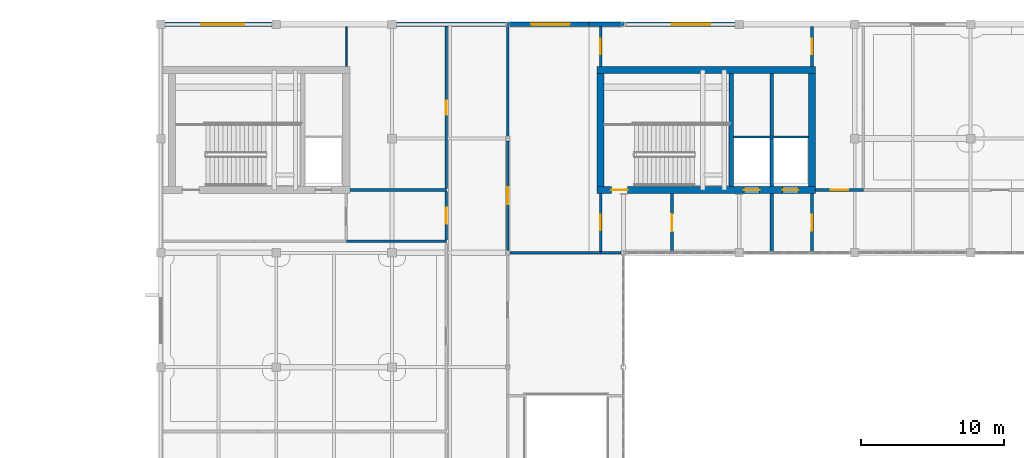
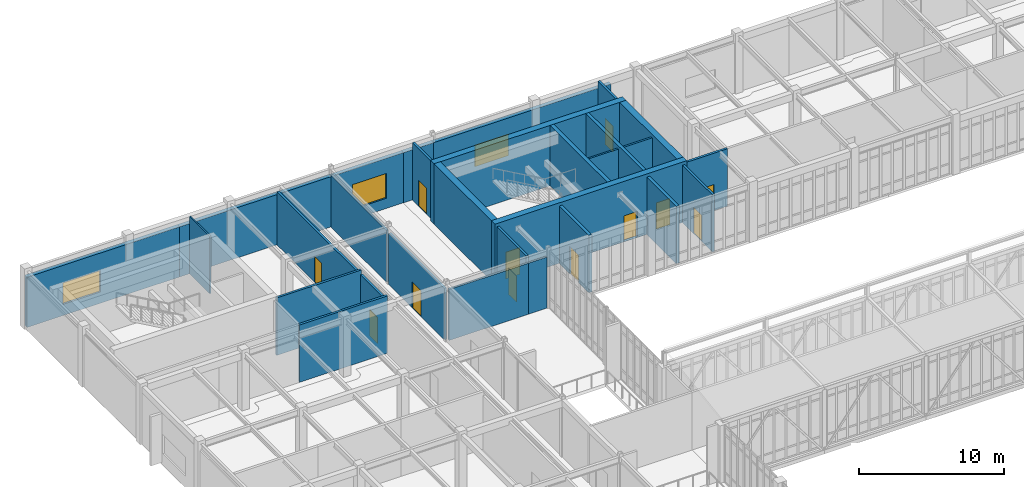
# One storey, part 96 of 107: 28 walls, 12 doors, 3 windows, 15 openings.
"""IFC4 building model written with IfcOpenShell, lengths in metres."""

from ifc_helpers import new_model, si_unit, direction, frame, frame_2d, origin, place, context, subcontext, project, spatial, rectangle, extrude, material, layer, layer_set, type_object, element, fill, save


model = new_model("IFC4")

# Units and contexts
model_context = context("Model", 3, precision=1e-05, world=origin(), true_north=direction((0.0, 1.0)))
body_context = subcontext(model_context, "Body", "Model", "MODEL_VIEW")
ifc_project = project(units=[si_unit("LENGTHUNIT", "METRE"), si_unit("AREAUNIT", "SQUARE_METRE"), si_unit("VOLUMEUNIT", "CUBIC_METRE"), si_unit("PLANEANGLEUNIT", "RADIAN"), si_unit("MASSUNIT", "GRAM", prefix="KILO")], contexts=[model_context])

# Site, building, storey
site_placement = place(None, origin())
site = spatial("IfcSite", under=ifc_project, at=site_placement, CompositionType="ELEMENT")
building_placement = place(site_placement, origin())
building = spatial("IfcBuilding", under=site, at=building_placement, Name="Tarnveldt Square Police Headquarters", CompositionType="ELEMENT")
storey_placement = place(building_placement, frame((0.0, 0.0, 14.699951171875)))
storey = spatial("IfcBuildingStorey", under=building, at=storey_placement, Name="L03", CompositionType="ELEMENT", Elevation=14.699951171875)

# Walls
ifc_material_1 = material(Name="Concrete 50 MPa", Category="concrete")
ifc_layer_1 = layer(ifc_material_1, 0.449951171875)
ifc_layer_set_1 = layer_set([ifc_layer_1], Name="Concrete 50 MPa")
wall_type_1 = type_object("IfcWallType", Name="WL-CORE-450", PredefinedType="SHEAR", material=ifc_layer_set_1)
wall_1_placement = place(storey_placement, frame((56.14990234375, 100.64990234375, 0.0), z_axis=(0.0, 0.0, 1.0), x_axis=(0.0, 1.0, 0.0)))
element("IfcWall", 1, at=wall_1_placement, inside=storey, type_object=wall_type_1, Name="Core K3 North-Central Forensic and Firefighting Core L03 Stair-Lift Divider Shear Wall", PredefinedType="SHEAR", context=body_context, shape_type="SweptSolid", body=[
    extrude(rectangle(XDim=7.900146484375, YDim=0.300048828125, at=frame_2d((3.9501953125, 0.0))), origin(), (0.0, 0.0, 1.0), 5.10009765625),
])
wall_2_placement = place(storey_placement, frame((58.97509765625, 100.64990234375, 0.0), z_axis=(0.0, 0.0, 1.0), x_axis=(0.0, 1.0, 0.0)))
element("IfcWall", 2, at=wall_2_placement, inside=storey, type_object=wall_type_1, Name="Core K3 North-Central Forensic and Firefighting Core L03 Dual-Lift Shaft Divider Wall", PredefinedType="SHEAR", context=body_context, shape_type="SweptSolid", body=[
    extrude(rectangle(XDim=7.900146484375, YDim=0.25, at=frame_2d((3.9501953125, 0.0))), origin(), (0.0, 0.0, 1.0), 5.10009765625),
])

# Wall, openings, doors
ifc_layer_2 = layer(ifc_material_1, 0.5)
ifc_layer_set_2 = layer_set([ifc_layer_2], Name="Concrete 50 MPa")
wall_type_2 = type_object("IfcWallType", Name="WL-CORE-500", PredefinedType="SHEAR", material=ifc_layer_set_2)
wall_3_placement = place(storey_placement, frame((46.75, 100.39990234375, 0.0), z_axis=(0.0, 0.0, 1.0), x_axis=(1.0, 0.0, 0.0)))
wall_3 = element("IfcWall", 3, at=wall_3_placement, inside=storey, type_object=wall_type_2, Name="Core K3 North-Central Forensic and Firefighting Core L03 South Shear Wall", PredefinedType="SHEAR", context=body_context, shape_type="SweptSolid", body=[
    extrude(rectangle(XDim=15.300048828125, YDim=0.5, at=frame_2d((7.64990234375, 0.0))), origin(), (0.0, 0.0, 1.0), 5.10009765625),
])
opening_1_placement = place(wall_3_placement, frame((1.0, 0.0, 0.0)))
opening_1 = element("IfcOpeningElement", 4, at=opening_1_placement, cuts=wall_3, Name="Opening D-ST3-L03", PredefinedType="OPENING", context=body_context, shape_type="SweptSolid", body=[
    extrude(rectangle(XDim=1.14990234375, YDim=2.25, at=frame_2d((0.574951171875, 1.125))), frame((0.0, 0.260009765625, 0.0), z_axis=(0.0, -1.0, 0.0), x_axis=(1.0, 0.0, 0.0)), (0.0, 0.0, 1.0), 0.52001953125),
])
opening_2_placement = place(wall_3_placement, frame((10.282470703125, 0.0, 0.0)))
opening_2 = element("IfcOpeningElement", 5, at=opening_2_placement, cuts=wall_3, Name="Opening LD-LF2-L03", PredefinedType="OPENING", context=body_context, shape_type="SweptSolid", body=[
    extrude(rectangle(XDim=1.10009765625, YDim=2.199951171875, at=frame_2d((0.550048828125, 1.10009765625))), frame((0.0, 0.260009765625, 0.0), z_axis=(0.0, -1.0, 0.0), x_axis=(1.0, 0.0, 0.0)), (0.0, 0.0, 1.0), 0.52001953125),
])
opening_3_placement = place(wall_3_placement, frame((12.99755859375, 0.0, 0.0)))
opening_3 = element("IfcOpeningElement", 6, at=opening_3_placement, cuts=wall_3, Name="Opening LD-LP3-L03", PredefinedType="OPENING", context=body_context, shape_type="SweptSolid", body=[
    extrude(rectangle(XDim=1.10009765625, YDim=2.199951171875, at=frame_2d((0.550048828125, 1.10009765625))), frame((0.0, 0.260009765625, 0.0), z_axis=(0.0, -1.0, 0.0), x_axis=(1.0, 0.0, 0.0)), (0.0, 0.0, 1.0), 0.52001953125),
])
ifc_material_2 = material(Name="Insulated hollow metal steel door leaf", Category="steel")
door_type_1 = type_object("IfcDoorType", Name="DR-FD90-1150", OperationType="NOTDEFINED", PredefinedType="DOOR", material=ifc_material_2)
door_1_placement = place(opening_1_placement, origin())
door_1 = element("IfcDoor", 7, at=door_1_placement, inside=storey, type_object=door_type_1, Name="Exit Stair ST3 L03 Fire Door", OperationType="SINGLE_SWING_LEFT", OverallHeight=2.25, OverallWidth=1.14990234375, PredefinedType="DOOR", context=body_context, shape_type="SweptSolid", body=[
    extrude(rectangle(XDim=1.14990234375, YDim=2.25, at=frame_2d((0.574951171875, 1.125))), frame((0.0, 0.02490234375, 0.0), z_axis=(0.0, -1.0, 0.0), x_axis=(1.0, 0.0, 0.0)), (0.0, 0.0, 1.0), 0.050048828125),
])
fill(opening_1, door_1)
ifc_material_3 = material(Name="Steel 350W", Category="steel")
door_type_2 = type_object("IfcDoorType", Name="DR-LD-1100", OperationType="DOUBLE_DOOR_SLIDING", PredefinedType="DOOR", material=ifc_material_3)
door_2_placement = place(opening_2_placement, frame((1.10009765625, 0.0, 0.0), z_axis=(0.0, 0.0, 1.0), x_axis=(-1.0, 0.0, 0.0)))
door_2 = element("IfcDoor", 8, at=door_2_placement, inside=storey, type_object=door_type_2, Name="Elevator LF2 L03 Sliding Landing Door", OperationType="DOUBLE_DOOR_SLIDING", OverallHeight=2.199951171875, OverallWidth=1.10009765625, PredefinedType="DOOR", context=body_context, shape_type="SweptSolid", body=[
    extrude(rectangle(XDim=1.10009765625, YDim=2.199951171875, at=frame_2d((0.550048828125, 1.10009765625))), frame((0.0, 0.02490234375, 0.0), z_axis=(0.0, -1.0, 0.0), x_axis=(1.0, 0.0, 0.0)), (0.0, 0.0, 1.0), 0.050048828125),
])
fill(opening_2, door_2)
door_3_placement = place(opening_3_placement, frame((1.10009765625, 0.0, 0.0), z_axis=(0.0, 0.0, 1.0), x_axis=(-1.0, 0.0, 0.0)))
door_3 = element("IfcDoor", 9, at=door_3_placement, inside=storey, type_object=door_type_2, Name="Elevator LP3 L03 Sliding Landing Door", OperationType="DOUBLE_DOOR_SLIDING", OverallHeight=2.199951171875, OverallWidth=1.10009765625, PredefinedType="DOOR", context=body_context, shape_type="SweptSolid", body=[
    extrude(rectangle(XDim=1.10009765625, YDim=2.199951171875, at=frame_2d((0.550048828125, 1.10009765625))), frame((0.0, 0.02490234375, 0.0), z_axis=(0.0, -1.0, 0.0), x_axis=(1.0, 0.0, 0.0)), (0.0, 0.0, 1.0), 0.050048828125),
])
fill(opening_3, door_3)

# Walls
wall_4_placement = place(storey_placement, frame((46.75, 108.800048828125, 0.0), z_axis=(0.0, 0.0, 1.0), x_axis=(1.0, 0.0, 0.0)))
element("IfcWall", 10, at=wall_4_placement, inside=storey, type_object=wall_type_2, Name="Core K3 North-Central Forensic and Firefighting Core L03 North Shear Wall", PredefinedType="SHEAR", context=body_context, shape_type="SweptSolid", body=[
    extrude(rectangle(XDim=15.300048828125, YDim=0.5, at=frame_2d((7.64990234375, 0.0))), origin(), (0.0, 0.0, 1.0), 5.10009765625),
])
for number, where, z_axis, x_axis, name in (
    (11, (47.0, 100.64990234375, 0.0), (0.0, 0.0, 1.0), (0.0, 1.0, 0.0), "Core K3 North-Central Forensic and Firefighting Core L03 West Shear Wall"),
    (12, (61.800048828125, 100.64990234375, 0.0), (0.0, 0.0, 1.0), (0.0, 1.0, 0.0), "Core K3 North-Central Forensic and Firefighting Core L03 East Shear Wall"),
):
    element("IfcWall", number, at=place(storey_placement, frame(where, z_axis=z_axis, x_axis=x_axis)), inside=storey, type_object=wall_type_2, Name=name, PredefinedType="SHEAR", context=body_context, shape_type="SweptSolid", body=[
        extrude(rectangle(XDim=7.900146484375, YDim=0.5, at=frame_2d((3.9501953125, 0.0))), origin(), (0.0, 0.0, 1.0), 5.10009765625),
    ])

# Wall, opening, window
ifc_material_4 = material(Name="Concrete 40 MPa", Category="concrete")
ifc_layer_3 = layer(ifc_material_4, 0.320068359375)
ifc_layer_set_3 = layer_set([ifc_layer_3], Name="Concrete 40 MPa")
wall_type_3 = type_object("IfcWallType", Name="WL-EXT-BH320", PredefinedType="SOLIDWALL", material=ifc_layer_set_3)
wall_5_placement = place(storey_placement, frame((62.77490234375, 112.0, 0.0), z_axis=(0.0, 0.0, 1.0), x_axis=(-1.0, 0.0, 0.0)))
wall_5 = element("IfcWall", 13, at=wall_5_placement, inside=storey, type_object=wall_type_3, Name="L03 Brutalist Exterior Wall 0174", PredefinedType="SOLIDWALL", context=body_context, shape_type="SweptSolid", body=[
    extrude(rectangle(XDim=14.1748046875, YDim=0.320068359375, at=frame_2d((7.08740234375, 0.0))), origin(), (0.0, 0.0, 1.0), 4.23193359375),
])
opening_4_placement = place(wall_5_placement, frame((8.10009765625, 0.0, 0.949951171875)))
opening_4 = element("IfcOpeningElement", 14, at=opening_4_placement, cuts=wall_5, Name="Opening W15", PredefinedType="OPENING", context=body_context, shape_type="SweptSolid", body=[
    extrude(rectangle(XDim=2.699951171875, YDim=1.800048828125, at=frame_2d((1.35009765625, 0.89990234375))), frame((0.0, 0.169921875, 0.0), z_axis=(0.0, -1.0, 0.0), x_axis=(1.0, 0.0, 0.0)), (0.0, 0.0, 1.0), 0.340087890625),
])
ifc_material_5 = material(Name="Triple-glazed low-e laminated vision glass", Category="glass")
window_type_1 = type_object("IfcWindowType", Name="WIN-DR-270x180", PartitioningType="TRIPLE_PANEL_VERTICAL", PredefinedType="WINDOW", material=ifc_material_5)
window_1_placement = place(opening_4_placement, origin())
window_1 = element("IfcWindow", 15, at=window_1_placement, inside=storey, type_object=window_type_1, Name="L03 Deep-Reveal Brutalist Window 0087", OverallHeight=1.800048828125, OverallWidth=2.699951171875, PartitioningType="TRIPLE_PANEL_VERTICAL", PredefinedType="WINDOW", context=body_context, shape_type="SweptSolid", body=[
    extrude(rectangle(XDim=2.699951171875, YDim=1.800048828125, at=frame_2d((1.35009765625, 0.89990234375))), frame((0.0, 0.030029296875, 0.0), z_axis=(0.0, -1.0, 0.0), x_axis=(1.0, 0.0, 0.0)), (0.0, 0.0, 1.0), 0.06005859375),
])
fill(opening_4, window_1)

# Walls
wall_6_placement = place(storey_placement, frame((48.60009765625, 112.0, 0.0), z_axis=(0.0, 0.0, 1.0), x_axis=(-1.0, 0.0, 0.0)))
element("IfcWall", 16, at=wall_6_placement, inside=storey, type_object=wall_type_3, Name="L03 Brutalist Exterior Wall 0175", PredefinedType="SOLIDWALL", context=body_context, shape_type="SweptSolid", body=[
    extrude(rectangle(XDim=2.400146484375, YDim=0.320068359375, at=frame_2d((1.2001953125, 0.0))), origin(), (0.0, 0.0, 1.0), 4.23193359375),
])
wall_7_placement = place(storey_placement, frame((40.5, 112.0, 0.0), z_axis=(0.0, 0.0, 1.0), x_axis=(-1.0, 0.0, 0.0)))
element("IfcWall", 17, at=wall_7_placement, inside=storey, type_object=wall_type_3, Name="L03 Brutalist Exterior Wall 0177", PredefinedType="SOLIDWALL", context=body_context, shape_type="SweptSolid", body=[
    extrude(rectangle(XDim=12.14990234375, YDim=0.320068359375, at=frame_2d((6.074951171875, 0.0))), origin(), (0.0, 0.0, 1.0), 4.23193359375),
])

# Wall, opening, window
wall_8_placement = place(storey_placement, frame((28.35009765625, 112.0, 0.0), z_axis=(0.0, 0.0, 1.0), x_axis=(-1.0, 0.0, 0.0)))
wall_8 = element("IfcWall", 18, at=wall_8_placement, inside=storey, type_object=wall_type_3, Name="L03 Brutalist Exterior Wall 0178", PredefinedType="SOLIDWALL", context=body_context, shape_type="SweptSolid", body=[
    extrude(rectangle(XDim=12.150146484375, YDim=0.320068359375, at=frame_2d((6.0751953125, 0.0))), origin(), (0.0, 0.0, 1.0), 4.23193359375),
])
opening_5_placement = place(wall_8_placement, frame((6.300048828125, 0.0, 0.949951171875)))
opening_5 = element("IfcOpeningElement", 19, at=opening_5_placement, cuts=wall_8, Name="Opening W17", PredefinedType="OPENING", context=body_context, shape_type="SweptSolid", body=[
    extrude(rectangle(XDim=3.0, YDim=1.800048828125, at=frame_2d((1.5, 0.89990234375))), frame((0.0, 0.169921875, 0.0), z_axis=(0.0, -1.0, 0.0), x_axis=(1.0, 0.0, 0.0)), (0.0, 0.0, 1.0), 0.340087890625),
])
window_type_2 = type_object("IfcWindowType", Name="WIN-DR-300x180", PartitioningType="TRIPLE_PANEL_VERTICAL", PredefinedType="WINDOW", material=ifc_material_5)
window_2_placement = place(opening_5_placement, origin())
window_2 = element("IfcWindow", 20, at=window_2_placement, inside=storey, type_object=window_type_2, Name="L03 Deep-Reveal Brutalist Window 0089", OverallHeight=1.800048828125, OverallWidth=3.0, PartitioningType="TRIPLE_PANEL_VERTICAL", PredefinedType="WINDOW", context=body_context, shape_type="SweptSolid", body=[
    extrude(rectangle(XDim=3.0, YDim=1.800048828125, at=frame_2d((1.5, 0.89990234375))), frame((0.0, 0.030029296875, 0.0), z_axis=(0.0, -1.0, 0.0), x_axis=(1.0, 0.0, 0.0)), (0.0, 0.0, 1.0), 0.06005859375),
])
fill(opening_5, window_2)

ifc_material_6 = material(Name="Manganese ironspot clay brick masonry 20 MPa", Category="masonry")
ifc_layer_4 = layer(ifc_material_6, 0.300048828125)
ifc_layer_set_4 = layer_set([ifc_layer_4], Name="Manganese ironspot clay brick masonry 20 MPa")
wall_type_4 = type_object("IfcWallType", Name="WL-EXT-BRK300", PredefinedType="SOLIDWALL", material=ifc_layer_set_4)
wall_9_placement = place(storey_placement, frame((46.199951171875, 112.0, 0.0), z_axis=(0.0, 0.0, 1.0), x_axis=(-1.0, 0.0, 0.0)))
wall_9 = element("IfcWall", 21, at=wall_9_placement, inside=storey, type_object=wall_type_4, Name="L03 Brutalist Exterior Wall 0176", PredefinedType="SOLIDWALL", context=body_context, shape_type="SweptSolid", body=[
    extrude(rectangle(XDim=5.699951171875, YDim=0.300048828125, at=frame_2d((2.85009765625, 0.0))), origin(), (0.0, 0.0, 1.0), 4.23193359375),
])
opening_6_placement = place(wall_9_placement, frame((1.35009765625, 0.0, 0.85009765625)))
opening_6 = element("IfcOpeningElement", 22, at=opening_6_placement, cuts=wall_9, Name="Opening W16", PredefinedType="OPENING", context=body_context, shape_type="SweptSolid", body=[
    extrude(rectangle(XDim=2.699951171875, YDim=2.10009765625, at=frame_2d((1.35009765625, 1.050048828125))), frame((0.0, 0.159912109375, 0.0), z_axis=(0.0, -1.0, 0.0), x_axis=(1.0, 0.0, 0.0)), (0.0, 0.0, 1.0), 0.320068359375),
])
window_type_3 = type_object("IfcWindowType", Name="WIN-DR-270x210", PartitioningType="TRIPLE_PANEL_VERTICAL", PredefinedType="WINDOW", material=ifc_material_5)
window_3_placement = place(opening_6_placement, origin())
window_3 = element("IfcWindow", 23, at=window_3_placement, inside=storey, type_object=window_type_3, Name="L03 Deep-Reveal Brutalist Window 0088", OverallHeight=2.10009765625, OverallWidth=2.699951171875, PartitioningType="TRIPLE_PANEL_VERTICAL", PredefinedType="WINDOW", context=body_context, shape_type="SweptSolid", body=[
    extrude(rectangle(XDim=2.699951171875, YDim=2.10009765625, at=frame_2d((1.35009765625, 1.050048828125))), frame((0.0, 0.030029296875, 0.0), z_axis=(0.0, -1.0, 0.0), x_axis=(1.0, 0.0, 0.0)), (0.0, 0.0, 1.0), 0.06005859375),
])
fill(opening_6, window_3)

# Walls
ifc_material_7 = material(Name="Fire-rated Type X gypsum board on steel studs", Category="steel")
ifc_layer_5 = layer(ifc_material_7, 0.179931640625)
ifc_layer_set_5 = layer_set([ifc_layer_5], Name="Fire-rated Type X gypsum board on steel studs")
wall_type_5 = type_object("IfcWallType", Name="WL-FIRE-180", PredefinedType="PARTITIONING", material=ifc_layer_set_5)
wall_10_placement = place(storey_placement, frame((29.199951171875, 96.800048828125, 0.0), z_axis=(0.0, 0.0, 1.0), x_axis=(1.0, 0.0, 0.0)))
element("IfcWall", 24, at=wall_10_placement, inside=storey, type_object=wall_type_5, Name="L03 Interior Partition Wall 0449", PredefinedType="PARTITIONING", context=body_context, shape_type="SweptSolid", body=[
    extrude(rectangle(XDim=7.0, YDim=0.179931640625, at=frame_2d((3.5, 0.0))), origin(), (0.0, 0.0, 1.0), 4.840087890625),
])
wall_11_placement = place(storey_placement, frame((29.449951171875, 100.39990234375, 0.0), z_axis=(0.0, 0.0, 1.0), x_axis=(1.0, 0.0, 0.0)))
element("IfcWall", 25, at=wall_11_placement, inside=storey, type_object=wall_type_5, Name="L03 Interior Partition Wall 0450", PredefinedType="PARTITIONING", context=body_context, shape_type="SweptSolid", body=[
    extrude(rectangle(XDim=6.75, YDim=0.179931640625, at=frame_2d((3.375, 0.0))), origin(), (0.0, 0.0, 1.0), 4.840087890625),
])
wall_12_placement = place(storey_placement, frame((40.660400390625, 96.0, 0.0), z_axis=(0.0, 0.0, 1.0), x_axis=(1.0, 0.0, 0.0)))
element("IfcWall", 26, at=wall_12_placement, inside=storey, type_object=wall_type_5, Name="L03 Interior Partition Wall 0466", PredefinedType="PARTITIONING", context=body_context, shape_type="SweptSolid", body=[
    extrude(rectangle(XDim=6.339599609375, YDim=0.179931640625, at=frame_2d((3.169921875, 0.0))), origin(), (0.0, 0.0, 1.0), 4.299072265625),
])
wall_13_placement = place(storey_placement, frame((47.0, 96.0, 0.0), z_axis=(0.0, 0.0, 1.0), x_axis=(1.0, 0.0, 0.0)))
element("IfcWall", 27, at=wall_13_placement, inside=storey, type_object=wall_type_5, Name="L03 Interior Partition Wall 0467", PredefinedType="PARTITIONING", context=body_context, shape_type="SweptSolid", body=[
    extrude(rectangle(XDim=1.439697265625, YDim=0.179931640625, at=frame_2d((0.7197265625, 0.0))), origin(), (0.0, 0.0, 1.0), 4.299072265625),
])

# Wall, opening, door
wall_14_placement = place(storey_placement, frame((62.050048828125, 100.39990234375, 0.0), z_axis=(0.0, 0.0, 1.0), x_axis=(1.0, 0.0, 0.0)))
wall_14 = element("IfcWall", 28, at=wall_14_placement, inside=storey, type_object=wall_type_5, Name="L03 Interior Partition Wall 0470", PredefinedType="PARTITIONING", context=body_context, shape_type="SweptSolid", body=[
    extrude(rectangle(XDim=3.349853515625, YDim=0.179931640625, at=frame_2d((1.6748046875, 0.0))), origin(), (0.0, 0.0, 1.0), 4.840087890625),
])
opening_7_placement = place(wall_14_placement, frame((1.074951171875, 0.0, 0.0)))
opening_7 = element("IfcOpeningElement", 29, at=opening_7_placement, cuts=wall_14, Name="Opening D16", PredefinedType="OPENING", context=body_context, shape_type="SweptSolid", body=[
    extrude(rectangle(XDim=1.199951171875, YDim=2.199951171875, at=frame_2d((0.60009765625, 1.10009765625))), frame((0.0, 0.099853515625, 0.0), z_axis=(0.0, -1.0, 0.0), x_axis=(1.0, 0.0, 0.0)), (0.0, 0.0, 1.0), 0.199951171875),
])
door_type_3 = type_object("IfcDoorType", Name="DR-FD60-1200", OperationType="NOTDEFINED", PredefinedType="DOOR", material=ifc_material_2)
door_4_placement = place(opening_7_placement, frame((1.199951171875, 0.0, 0.0), z_axis=(0.0, 0.0, 1.0), x_axis=(-1.0, 0.0, 0.0)))
door_4 = element("IfcDoor", 30, at=door_4_placement, inside=storey, type_object=door_type_3, Name="Forensic Biology Corridor L03 Door", OperationType="SINGLE_SWING_RIGHT", OverallHeight=2.199951171875, OverallWidth=1.199951171875, PredefinedType="DOOR", context=body_context, shape_type="SweptSolid", body=[
    extrude(rectangle(XDim=1.199951171875, YDim=2.199951171875, at=frame_2d((0.60009765625, 1.10009765625))), frame((0.0, 0.02490234375, 0.0), z_axis=(0.0, -1.0, 0.0), x_axis=(1.0, 0.0, 0.0)), (0.0, 0.0, 1.0), 0.050048828125),
])
fill(opening_7, door_4)

wall_15_placement = place(storey_placement, frame((36.199951171875, 96.89794921875, 0.0), z_axis=(0.0, 0.0, 1.0), x_axis=(0.0, 1.0, 0.0)))
wall_15 = element("IfcWall", 31, at=wall_15_placement, inside=storey, type_object=wall_type_5, Name="L03 Interior Partition Wall 0498", PredefinedType="PARTITIONING", context=body_context, shape_type="SweptSolid", body=[
    extrude(rectangle(XDim=3.404052734375, YDim=0.179931640625, at=frame_2d((1.7021484375, 0.0))), origin(), (0.0, 0.0, 1.0), 4.47802734375),
])
opening_8_placement = place(wall_15_placement, frame((1.152099609375, 0.0, 0.0)))
opening_8 = element("IfcOpeningElement", 32, at=opening_8_placement, cuts=wall_15, Name="Opening D15", PredefinedType="OPENING", context=body_context, shape_type="SweptSolid", body=[
    extrude(rectangle(XDim=1.10009765625, YDim=2.199951171875, at=frame_2d((0.550048828125, 1.10009765625))), frame((0.0, 0.099853515625, 0.0), z_axis=(0.0, -1.0, 0.0), x_axis=(1.0, 0.0, 0.0)), (0.0, 0.0, 1.0), 0.199951171875),
])
door_type_4 = type_object("IfcDoorType", Name="DR-FD60-1100", OperationType="NOTDEFINED", PredefinedType="DOOR", material=ifc_material_2)
door_5_placement = place(opening_8_placement, origin())
door_5 = element("IfcDoor", 33, at=door_5_placement, inside=storey, type_object=door_type_4, Name="Core K2 East Vestibule L03 Door", OperationType="SINGLE_SWING_RIGHT", OverallHeight=2.199951171875, OverallWidth=1.10009765625, PredefinedType="DOOR", context=body_context, shape_type="SweptSolid", body=[
    extrude(rectangle(XDim=1.10009765625, YDim=2.199951171875, at=frame_2d((0.550048828125, 1.10009765625))), frame((0.0, 0.02490234375, 0.0), z_axis=(0.0, -1.0, 0.0), x_axis=(1.0, 0.0, 0.0)), (0.0, 0.0, 1.0), 0.050048828125),
])
fill(opening_8, door_5)

wall_16_placement = place(storey_placement, frame((36.199951171875, 100.498046875, 0.0), z_axis=(0.0, 0.0, 1.0), x_axis=(0.0, 1.0, 0.0)))
wall_16 = element("IfcWall", 34, at=wall_16_placement, inside=storey, type_object=wall_type_5, Name="L03 Interior Partition Wall 0499", PredefinedType="PARTITIONING", context=body_context, shape_type="SweptSolid", body=[
    extrude(rectangle(XDim=11.333984375, YDim=0.179931640625, at=frame_2d((5.6669921875, 0.0))), origin(), (0.0, 0.0, 1.0), 4.47802734375),
])
opening_9_placement = place(wall_16_placement, frame((5.1669921875, 0.0, 0.0)))
opening_9 = element("IfcOpeningElement", 35, at=opening_9_placement, cuts=wall_16, Name="Opening D05", PredefinedType="OPENING", context=body_context, shape_type="SweptSolid", body=[
    extrude(rectangle(XDim=1.0, YDim=2.199951171875, at=frame_2d((0.5, 1.10009765625))), frame((0.0, 0.099853515625, 0.0), z_axis=(0.0, -1.0, 0.0), x_axis=(1.0, 0.0, 0.0)), (0.0, 0.0, 1.0), 0.199951171875),
])
ifc_material_8 = material(Name="Solid core architectural birch door leaf", Category="wood")
door_type_5 = type_object("IfcDoorType", Name="DR-INT-1000", OperationType="NOTDEFINED", PredefinedType="DOOR", material=ifc_material_8)
door_6_placement = place(opening_9_placement, origin())
door_6 = element("IfcDoor", 36, at=door_6_placement, inside=storey, type_object=door_type_5, Name="Staff Break and Terrace Lounge L03 Door", OperationType="SINGLE_SWING_LEFT", OverallHeight=2.199951171875, OverallWidth=1.0, PredefinedType="DOOR", context=body_context, shape_type="SweptSolid", body=[
    extrude(rectangle(XDim=1.0, YDim=2.199951171875, at=frame_2d((0.5, 1.10009765625))), frame((0.0, 0.02490234375, 0.0), z_axis=(0.0, -1.0, 0.0), x_axis=(1.0, 0.0, 0.0)), (0.0, 0.0, 1.0), 0.050048828125),
])
fill(opening_9, door_6)

wall_17_placement = place(storey_placement, frame((40.5, 96.160400390625, 0.0), z_axis=(0.0, 0.0, 1.0), x_axis=(0.0, 1.0, 0.0)))
wall_17 = element("IfcWall", 37, at=wall_17_placement, inside=storey, type_object=wall_type_5, Name="L03 Interior Partition Wall 0511", PredefinedType="PARTITIONING", context=body_context, shape_type="SweptSolid", body=[
    extrude(rectangle(XDim=7.67919921875, YDim=0.179931640625, at=frame_2d((3.839599609375, 0.0))), origin(), (0.0, 0.0, 1.0), 4.33203125),
])
opening_10_placement = place(wall_17_placement, frame((3.239501953125, 0.0, 0.0)))
opening_10 = element("IfcOpeningElement", 38, at=opening_10_placement, cuts=wall_17, Name="Opening D16", PredefinedType="OPENING", context=body_context, shape_type="SweptSolid", body=[
    extrude(rectangle(XDim=1.199951171875, YDim=2.199951171875, at=frame_2d((0.60009765625, 1.10009765625))), frame((0.0, 0.099853515625, 0.0), z_axis=(0.0, -1.0, 0.0), x_axis=(1.0, 0.0, 0.0)), (0.0, 0.0, 1.0), 0.199951171875),
])
door_7_placement = place(opening_10_placement, frame((1.199951171875, 0.0, 0.0), z_axis=(0.0, 0.0, 1.0), x_axis=(-1.0, 0.0, 0.0)))
door_7 = element("IfcDoor", 39, at=door_7_placement, inside=storey, type_object=door_type_3, Name="North-West Forensic Link Corridor L03 Door", OperationType="SINGLE_SWING_RIGHT", OverallHeight=2.199951171875, OverallWidth=1.199951171875, PredefinedType="DOOR", context=body_context, shape_type="SweptSolid", body=[
    extrude(rectangle(XDim=1.199951171875, YDim=2.199951171875, at=frame_2d((0.60009765625, 1.10009765625))), frame((0.0, 0.02490234375, 0.0), z_axis=(0.0, -1.0, 0.0), x_axis=(1.0, 0.0, 0.0)), (0.0, 0.0, 1.0), 0.050048828125),
])
fill(opening_10, door_7)

# Wall
wall_18_placement = place(storey_placement, frame((40.5, 104.160400390625, 0.0), z_axis=(0.0, 0.0, 1.0), x_axis=(0.0, 1.0, 0.0)))
element("IfcWall", 40, at=wall_18_placement, inside=storey, type_object=wall_type_5, Name="L03 Interior Partition Wall 0512", PredefinedType="PARTITIONING", context=body_context, shape_type="SweptSolid", body=[
    extrude(rectangle(XDim=7.671630859375, YDim=0.179931640625, at=frame_2d((3.8359375, 0.0))), origin(), (0.0, 0.0, 1.0), 4.369140625),
])

# Wall, opening, door
wall_19_placement = place(storey_placement, frame((47.0, 96.097900390625, 0.0), z_axis=(0.0, 0.0, 1.0), x_axis=(0.0, 1.0, 0.0)))
wall_19 = element("IfcWall", 41, at=wall_19_placement, inside=storey, type_object=wall_type_5, Name="L03 Interior Partition Wall 0513", PredefinedType="PARTITIONING", context=body_context, shape_type="SweptSolid", body=[
    extrude(rectangle(XDim=4.044189453125, YDim=0.179931640625, at=frame_2d((2.02197265625, 0.0))), origin(), (0.0, 0.0, 1.0), 4.840087890625),
])
opening_11_placement = place(wall_19_placement, frame((1.471923828125, 0.0, 0.0)))
opening_11 = element("IfcOpeningElement", 42, at=opening_11_placement, cuts=wall_19, Name="Opening D15", PredefinedType="OPENING", context=body_context, shape_type="SweptSolid", body=[
    extrude(rectangle(XDim=1.10009765625, YDim=2.199951171875, at=frame_2d((0.550048828125, 1.10009765625))), frame((0.0, 0.099853515625, 0.0), z_axis=(0.0, -1.0, 0.0), x_axis=(1.0, 0.0, 0.0)), (0.0, 0.0, 1.0), 0.199951171875),
])
door_8_placement = place(opening_11_placement, origin())
door_8 = element("IfcDoor", 43, at=door_8_placement, inside=storey, type_object=door_type_4, Name="Core Stair Lobby K3-L03 Door", OperationType="SINGLE_SWING_LEFT", OverallHeight=2.199951171875, OverallWidth=1.10009765625, PredefinedType="DOOR", context=body_context, shape_type="SweptSolid", body=[
    extrude(rectangle(XDim=1.10009765625, YDim=2.199951171875, at=frame_2d((0.550048828125, 1.10009765625))), frame((0.0, 0.02490234375, 0.0), z_axis=(0.0, -1.0, 0.0), x_axis=(1.0, 0.0, 0.0)), (0.0, 0.0, 1.0), 0.050048828125),
])
fill(opening_11, door_8)

wall_20_placement = place(storey_placement, frame((47.0, 109.05810546875, 0.0), z_axis=(0.0, 0.0, 1.0), x_axis=(0.0, 1.0, 0.0)))
wall_20 = element("IfcWall", 44, at=wall_20_placement, inside=storey, type_object=wall_type_5, Name="L03 Interior Partition Wall 0514", PredefinedType="PARTITIONING", context=body_context, shape_type="SweptSolid", body=[
    extrude(rectangle(XDim=2.77392578125, YDim=0.179931640625, at=frame_2d((1.386962890625, 0.0))), origin(), (0.0, 0.0, 1.0), 4.840087890625),
])
opening_12_placement = place(wall_20_placement, frame((0.8369140625, 0.0, 0.0)))
opening_12 = element("IfcOpeningElement", 45, at=opening_12_placement, cuts=wall_20, Name="Opening D15", PredefinedType="OPENING", context=body_context, shape_type="SweptSolid", body=[
    extrude(rectangle(XDim=1.10009765625, YDim=2.199951171875, at=frame_2d((0.550048828125, 1.10009765625))), frame((0.0, 0.099853515625, 0.0), z_axis=(0.0, -1.0, 0.0), x_axis=(1.0, 0.0, 0.0)), (0.0, 0.0, 1.0), 0.199951171875),
])
door_9_placement = place(opening_12_placement, frame((1.10009765625, 0.0, 0.0), z_axis=(0.0, 0.0, 1.0), x_axis=(-1.0, 0.0, 0.0)))
door_9 = element("IfcDoor", 46, at=door_9_placement, inside=storey, type_object=door_type_4, Name="Core K3 North Corridor L03 Door", OperationType="SINGLE_SWING_RIGHT", OverallHeight=2.199951171875, OverallWidth=1.10009765625, PredefinedType="DOOR", context=body_context, shape_type="SweptSolid", body=[
    extrude(rectangle(XDim=1.10009765625, YDim=2.199951171875, at=frame_2d((0.550048828125, 1.10009765625))), frame((0.0, 0.02490234375, 0.0), z_axis=(0.0, -1.0, 0.0), x_axis=(1.0, 0.0, 0.0)), (0.0, 0.0, 1.0), 0.050048828125),
])
fill(opening_12, door_9)

wall_21_placement = place(storey_placement, frame((61.800048828125, 96.06494140625, 0.0), z_axis=(0.0, 0.0, 1.0), x_axis=(0.0, 1.0, 0.0)))
wall_21 = element("IfcWall", 47, at=wall_21_placement, inside=storey, type_object=wall_type_5, Name="L03 Interior Partition Wall 0521", PredefinedType="PARTITIONING", context=body_context, shape_type="SweptSolid", body=[
    extrude(rectangle(XDim=4.0771484375, YDim=0.179931640625, at=frame_2d((2.03857421875, 0.0))), origin(), (0.0, 0.0, 1.0), 4.840087890625),
])
opening_13_placement = place(wall_21_placement, frame((1.488525390625, 0.0, 0.0)))
opening_13 = element("IfcOpeningElement", 48, at=opening_13_placement, cuts=wall_21, Name="Opening D15", PredefinedType="OPENING", context=body_context, shape_type="SweptSolid", body=[
    extrude(rectangle(XDim=1.10009765625, YDim=2.199951171875, at=frame_2d((0.550048828125, 1.10009765625))), frame((0.0, 0.099853515625, 0.0), z_axis=(0.0, -1.0, 0.0), x_axis=(1.0, 0.0, 0.0)), (0.0, 0.0, 1.0), 0.199951171875),
])
door_10_placement = place(opening_13_placement, frame((1.10009765625, 0.0, 0.0), z_axis=(0.0, 0.0, 1.0), x_axis=(-1.0, 0.0, 0.0)))
door_10 = element("IfcDoor", 49, at=door_10_placement, inside=storey, type_object=door_type_4, Name="Passenger Lift Lobby K3-L03 Door", OperationType="SINGLE_SWING_RIGHT", OverallHeight=2.199951171875, OverallWidth=1.10009765625, PredefinedType="DOOR", context=body_context, shape_type="SweptSolid", body=[
    extrude(rectangle(XDim=1.10009765625, YDim=2.199951171875, at=frame_2d((0.550048828125, 1.10009765625))), frame((0.0, 0.02490234375, 0.0), z_axis=(0.0, -1.0, 0.0), x_axis=(1.0, 0.0, 0.0)), (0.0, 0.0, 1.0), 0.050048828125),
])
fill(opening_13, door_10)

wall_22_placement = place(storey_placement, frame((61.800048828125, 109.05810546875, 0.0), z_axis=(0.0, 0.0, 1.0), x_axis=(0.0, 1.0, 0.0)))
wall_22 = element("IfcWall", 50, at=wall_22_placement, inside=storey, type_object=wall_type_5, Name="L03 Interior Partition Wall 0522", PredefinedType="PARTITIONING", context=body_context, shape_type="SweptSolid", body=[
    extrude(rectangle(XDim=2.77392578125, YDim=0.179931640625, at=frame_2d((1.386962890625, 0.0))), origin(), (0.0, 0.0, 1.0), 4.840087890625),
])
opening_14_placement = place(wall_22_placement, frame((0.8369140625, 0.0, 0.0)))
opening_14 = element("IfcOpeningElement", 51, at=opening_14_placement, cuts=wall_22, Name="Opening D15", PredefinedType="OPENING", context=body_context, shape_type="SweptSolid", body=[
    extrude(rectangle(XDim=1.10009765625, YDim=2.199951171875, at=frame_2d((0.550048828125, 1.10009765625))), frame((0.0, 0.099853515625, 0.0), z_axis=(0.0, -1.0, 0.0), x_axis=(1.0, 0.0, 0.0)), (0.0, 0.0, 1.0), 0.199951171875),
])
door_11_placement = place(opening_14_placement, origin())
door_11 = element("IfcDoor", 52, at=door_11_placement, inside=storey, type_object=door_type_4, Name="Core K3 North Corridor L03 Secondary Door", OperationType="SINGLE_SWING_LEFT", OverallHeight=2.199951171875, OverallWidth=1.10009765625, PredefinedType="DOOR", context=body_context, shape_type="SweptSolid", body=[
    extrude(rectangle(XDim=1.10009765625, YDim=2.199951171875, at=frame_2d((0.550048828125, 1.10009765625))), frame((0.0, 0.02490234375, 0.0), z_axis=(0.0, -1.0, 0.0), x_axis=(1.0, 0.0, 0.0)), (0.0, 0.0, 1.0), 0.050048828125),
])
fill(opening_14, door_11)

ifc_material_9 = material(Name="Concrete block masonry 15 MPa", Category="masonry")
ifc_layer_6 = layer(ifc_material_9, 0.239990234375)
ifc_layer_set_6 = layer_set([ifc_layer_6], Name="Concrete block masonry 15 MPa")
wall_type_6 = type_object("IfcWallType", Name="WL-FIRE-240", PredefinedType="PARTITIONING", material=ifc_layer_set_6)
wall_23_placement = place(storey_placement, frame((52.0, 96.06494140625, 0.0), z_axis=(0.0, 0.0, 1.0), x_axis=(0.0, 1.0, 0.0)))
wall_23 = element("IfcWall", 53, at=wall_23_placement, inside=storey, type_object=wall_type_6, Name="L03 Interior Partition Wall 0519", PredefinedType="PARTITIONING", context=body_context, shape_type="SweptSolid", body=[
    extrude(rectangle(XDim=4.0771484375, YDim=0.239990234375, at=frame_2d((2.03857421875, 0.0))), origin(), (0.0, 0.0, 1.0), 4.840087890625),
])
opening_15_placement = place(wall_23_placement, frame((1.4384765625, 0.0, 0.0)))
opening_15 = element("IfcOpeningElement", 54, at=opening_15_placement, cuts=wall_23, Name="Opening D20", PredefinedType="OPENING", context=body_context, shape_type="SweptSolid", body=[
    extrude(rectangle(XDim=1.199951171875, YDim=2.300048828125, at=frame_2d((0.60009765625, 1.14990234375))), frame((0.0, 0.1298828125, 0.0), z_axis=(0.0, -1.0, 0.0), x_axis=(1.0, 0.0, 0.0)), (0.0, 0.0, 1.0), 0.260009765625),
])
door_type_6 = type_object("IfcDoorType", Name="DR-FD90-1200", OperationType="NOTDEFINED", PredefinedType="DOOR", material=ifc_material_2)
door_12_placement = place(opening_15_placement, origin())
door_12 = element("IfcDoor", 55, at=door_12_placement, inside=storey, type_object=door_type_6, Name="Firefighting Lift Lobby K3-L03 Door", OperationType="SINGLE_SWING_LEFT", OverallHeight=2.300048828125, OverallWidth=1.199951171875, PredefinedType="DOOR", context=body_context, shape_type="SweptSolid", body=[
    extrude(rectangle(XDim=1.199951171875, YDim=2.300048828125, at=frame_2d((0.60009765625, 1.14990234375))), frame((0.0, 0.02490234375, 0.0), z_axis=(0.0, -1.0, 0.0), x_axis=(1.0, 0.0, 0.0)), (0.0, 0.0, 1.0), 0.050048828125),
])
fill(opening_15, door_12)

# Walls
wall_24_placement = place(storey_placement, frame((58.97509765625, 96.06494140625, 0.0), z_axis=(0.0, 0.0, 1.0), x_axis=(0.0, 1.0, 0.0)))
element("IfcWall", 56, at=wall_24_placement, inside=storey, type_object=wall_type_6, Name="L03 Interior Partition Wall 0520", PredefinedType="PARTITIONING", context=body_context, shape_type="SweptSolid", body=[
    extrude(rectangle(XDim=4.0771484375, YDim=0.239990234375, at=frame_2d((2.03857421875, 0.0))), origin(), (0.0, 0.0, 1.0), 4.840087890625),
])
ifc_layer_7 = layer(ifc_material_7, 0.110107421875)
ifc_layer_set_7 = layer_set([ifc_layer_7], Name="Fire-rated Type X gypsum board on steel studs")
wall_type_7 = type_object("IfcWallType", Name="WL-PART-110", PredefinedType="PARTITIONING", material=ifc_layer_set_7)
wall_25_placement = place(storey_placement, frame((29.199951171875, 109.05810546875, 0.0), z_axis=(0.0, 0.0, 1.0), x_axis=(0.0, 1.0, 0.0)))
element("IfcWall", 57, at=wall_25_placement, inside=storey, type_object=wall_type_7, Name="L03 Interior Partition Wall 0485", PredefinedType="PARTITIONING", context=body_context, shape_type="SweptSolid", body=[
    extrude(rectangle(XDim=2.77392578125, YDim=0.110107421875, at=frame_2d((1.386962890625, 0.0))), origin(), (0.0, 0.0, 1.0), 4.840087890625),
])
ifc_layer_8 = layer(ifc_material_7, 0.14990234375)
ifc_layer_set_8 = layer_set([ifc_layer_8], Name="Fire-rated Type X gypsum board on steel studs")
wall_type_8 = type_object("IfcWallType", Name="WL-SHAFT-150", PredefinedType="PARTITIONING", material=ifc_layer_set_8)
wall_26_placement = place(storey_placement, frame((56.300048828125, 104.1201171875, 0.0), z_axis=(0.0, 0.0, 1.0), x_axis=(1.0, 0.0, 0.0)))
element("IfcWall", 58, at=wall_26_placement, inside=storey, type_object=wall_type_8, Name="K3 L03 Elevator Shaft Back Wall", PredefinedType="PARTITIONING", context=body_context, shape_type="SweptSolid", body=[
    extrude(rectangle(XDim=5.25, YDim=0.14990234375, at=frame_2d((2.625, 0.0))), origin(), (0.0, 0.0, 1.0), 4.840087890625),
])

save(model, "model.ifc")
